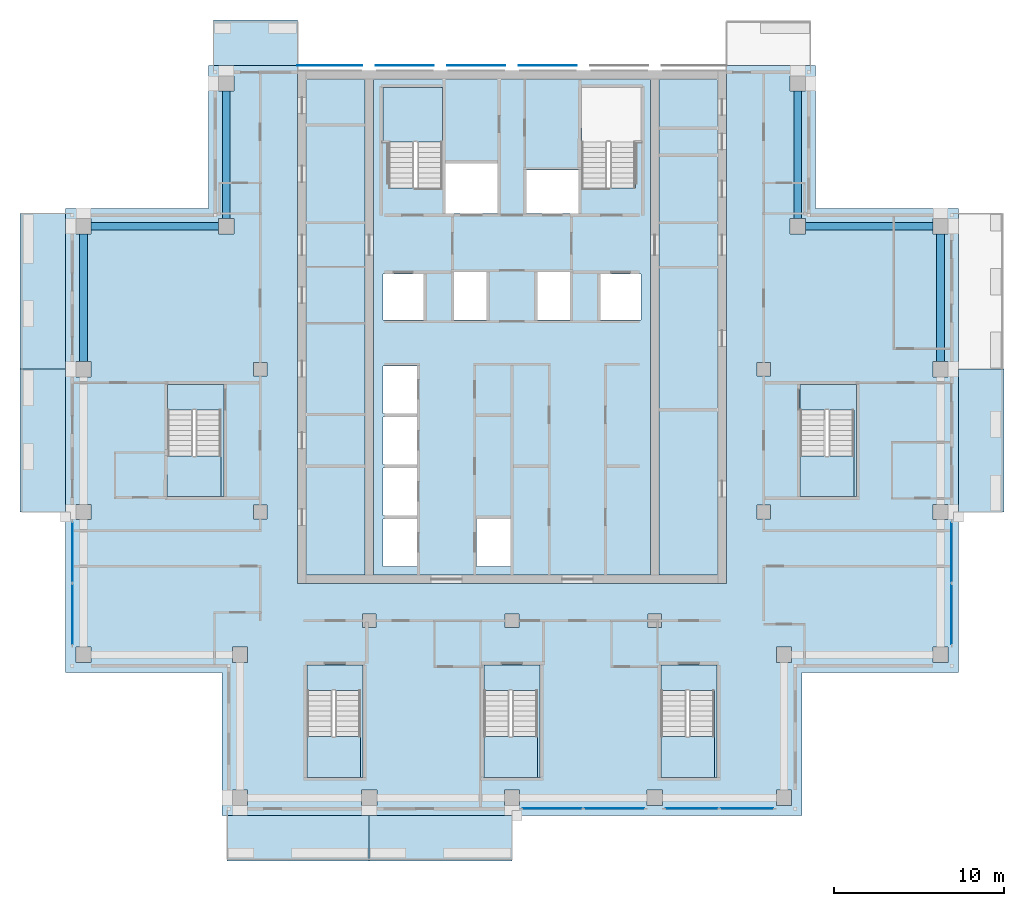
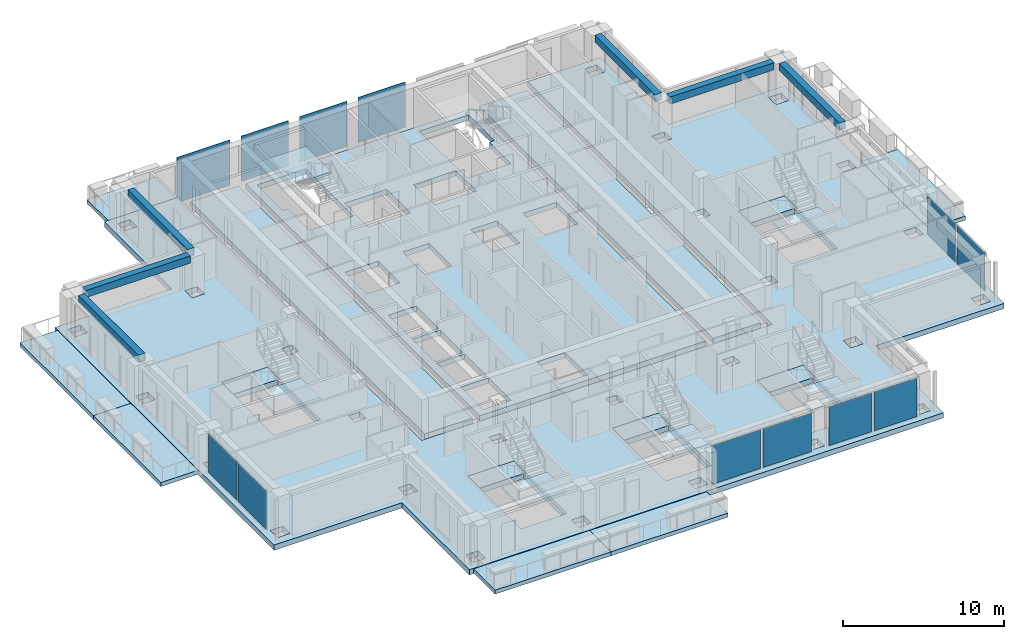
# One storey, part 5 of 16: 21 slabs, 12 plates, 6 beams, 10 elements without a shape of their own.
"""IFC4 building model written with IfcOpenShell, lengths in metres."""

from ifc_helpers import new_model, si_unit, direction, frame, origin, origin_2d, place, context, subcontext, project, spatial, polyline, rectangle, outline, extrude, material, layer, layer_set, material_profile, profile_set, type_object, element, aggregate, save


model = new_model("IFC4")

# Units and contexts
model_context = context("Model", 3, precision=1e-05, world=origin(), true_north=direction((0.0, 1.0)))
body_context = subcontext(model_context, "Body", "Model", "MODEL_VIEW")
ifc_project = project(units=[si_unit("LENGTHUNIT", "METRE"), si_unit("AREAUNIT", "SQUARE_METRE"), si_unit("VOLUMEUNIT", "CUBIC_METRE"), si_unit("PLANEANGLEUNIT", "RADIAN"), si_unit("MASSUNIT", "GRAM", prefix="KILO")], contexts=[model_context])

# Site, building, storey
site_placement = place(None, origin())
site = spatial("IfcSite", under=ifc_project, at=site_placement, CompositionType="ELEMENT")
building_placement = place(site_placement, origin())
building = spatial("IfcBuilding", under=site, at=building_placement, Name="Vermilion Ogive Tower", CompositionType="ELEMENT")
storey_placement = place(building_placement, frame((0.0, 0.0, 251.050048828125)))
storey = spatial("IfcBuildingStorey", under=building, at=storey_placement, Name="L66", CompositionType="ELEMENT", Elevation=251.050048828125)

# Beams
ifc_material_1 = material(Name="Concrete B45", Category="concrete")
ifc_material_profile = material_profile(ifc_material_1, rectangle(XDim=0.449951171875, YDim=0.550048828125, at=origin_2d()), Name="450 x 550")
ifc_profile_set = profile_set([ifc_material_profile], Name="Concrete B45")
beam_type = type_object("IfcBeamType", Name="Edge beam 450 x 550 B45", PredefinedType="BEAM", material=ifc_profile_set)
for number, where, z_axis, x_axis, name in (
    (1, (25.199951171875, 4.64990234375, 2.77490234375), (0.0, 1.0, 0.0), (-1.0, 0.0, 0.0), "L66-EB-9"),
    (2, (24.75, 12.60009765625, 2.77490234375), (-1.0, 0.0, 0.0), (0.0, -1.0, 0.0), "L66-EB-10"),
    (3, (16.800048828125, 13.050048828125, 2.77490234375), (0.0, 1.0, 0.0), (-1.0, 0.0, 0.0), "L66-EB-11"),
    (4, (-16.800048828125, 20.550048828125, 2.77490234375), (0.0, -1.0, 0.0), (1.0, 0.0, 0.0), "L66-EB-12"),
    (5, (-17.25, 12.60009765625, 2.77490234375), (-1.0, 0.0, 0.0), (0.0, -1.0, 0.0), "L66-EB-13"),
    (6, (-25.199951171875, 12.14990234375, 2.77490234375), (0.0, -1.0, 0.0), (1.0, 0.0, 0.0), "L66-EB-14"),
):
    element("IfcBeam", number, at=place(storey_placement, frame(where, z_axis=z_axis, x_axis=x_axis)), inside=storey, type_object=beam_type, Name=name, PredefinedType="BEAM", context=body_context, shape_type="SweptSolid", body=[
        extrude(rectangle(XDim=0.449951171875, YDim=0.550048828125, at=origin_2d()), origin(), (0.0, 0.0, 1.0), 7.5),
    ])

# Slabs
ifc_material_2 = material(Name="Concrete B40", Category="concrete")
ifc_layer_1 = layer(ifc_material_2, 0.300048828125)
ifc_layer_set_1 = layer_set([ifc_layer_1], Name="Balcony slab")
slab_type_1 = type_object("IfcSlabType", Name="Balcony slab", PredefinedType="FLOOR", material=ifc_layer_set_1)
slab_1_placement = place(storey_placement, frame((0.0, 0.0, -0.340087890625)))
element("IfcSlab", 7, at=slab_1_placement, inside=storey, type_object=slab_type_1, Name="Balcony slab S01", PredefinedType="FLOOR", context=body_context, shape_type="SweptSolid", body=[
    extrude(outline(polyline([(-16.75, -24.733642578125), (-8.39990234375, -24.733642578125), (-8.39990234375, -22.050048828125), (-16.75, -22.050048828125), (-16.75, -24.733642578125)])), origin(), (0.0, 0.0, 1.0), 0.300048828125),
])
slab_2_placement = place(storey_placement, frame((0.0, 0.0, -0.340087890625)))
element("IfcSlab", 8, at=slab_2_placement, inside=storey, type_object=slab_type_1, Name="Balcony slab S02", PredefinedType="FLOOR", context=body_context, shape_type="SweptSolid", body=[
    extrude(outline(polyline([(-8.39990234375, -24.733642578125), (0.0, -24.733642578125), (0.0, -22.050048828125), (-8.39990234375, -22.050048828125), (-8.39990234375, -24.733642578125)])), origin(), (0.0, 0.0, 1.0), 0.300048828125),
])
slab_3_placement = place(storey_placement, frame((0.0, 0.0, -0.340087890625)))
element("IfcSlab", 9, at=slab_3_placement, inside=storey, type_object=slab_type_1, Name="Balcony slab E02", PredefinedType="FLOOR", context=body_context, shape_type="SweptSolid", body=[
    extrude(outline(polyline([(28.93359375, -4.199951171875), (28.93359375, 4.199951171875), (26.25, 4.199951171875), (26.25, -4.199951171875), (28.93359375, -4.199951171875)])), origin(), (0.0, 0.0, 1.0), 0.300048828125),
])
slab_4_placement = place(storey_placement, frame((0.0, 0.0, -0.340087890625)))
element("IfcSlab", 10, at=slab_4_placement, inside=storey, type_object=slab_type_1, Name="Balcony slab N201", PredefinedType="FLOOR", context=body_context, shape_type="SweptSolid", body=[
    extrude(outline(polyline([(-12.60009765625, 24.733642578125), (-17.550048828125, 24.733642578125), (-17.550048828125, 22.050048828125), (-12.60009765625, 22.050048828125), (-12.60009765625, 24.733642578125)])), origin(), (0.0, 0.0, 1.0), 0.300048828125),
])
slab_5_placement = place(storey_placement, frame((0.0, 0.0, -0.340087890625)))
element("IfcSlab", 11, at=slab_5_placement, inside=storey, type_object=slab_type_1, Name="Balcony slab W01", PredefinedType="FLOOR", context=body_context, shape_type="SweptSolid", body=[
    extrude(outline(polyline([(-28.93359375, 13.35009765625), (-28.93359375, 4.199951171875), (-26.25, 4.199951171875), (-26.25, 13.35009765625), (-28.93359375, 13.35009765625)])), origin(), (0.0, 0.0, 1.0), 0.300048828125),
])
slab_6_placement = place(storey_placement, frame((0.0, 0.0, -0.340087890625)))
element("IfcSlab", 12, at=slab_6_placement, inside=storey, type_object=slab_type_1, Name="Balcony slab W02", PredefinedType="FLOOR", context=body_context, shape_type="SweptSolid", body=[
    extrude(outline(polyline([(-28.93359375, 4.199951171875), (-28.93359375, -4.199951171875), (-26.25, -4.199951171875), (-26.25, 4.199951171875), (-28.93359375, 4.199951171875)])), origin(), (0.0, 0.0, 1.0), 0.300048828125),
])

# Curtain wall, plates
ifc_material_3 = material(Name="Low-iron laminated glazing in aluminium frame", Category="aluminium")
curtain_wall_type = type_object("IfcCurtainWallType", Name="Curtain wall CW7", PredefinedType="NOTDEFINED", material=ifc_material_3)
curtain_wall_1_placement = place(storey_placement, origin())
curtain_wall_1 = element("IfcCurtainWall", 13, at=curtain_wall_1_placement, inside=storey, type_object=curtain_wall_type, Name="Glazed skin S3", PredefinedType="NOTDEFINED")
ifc_material_4 = material(Name="Low-iron laminated glazing in aluminium frame", Category="aluminium")
ifc_layer_2 = layer(ifc_material_4, 0.031982421875)
ifc_layer_set_2 = layer_set([ifc_layer_2], Name="CW7 glazing panel 32")
plate_type_1 = type_object("IfcPlateType", Name="CW7 glazing panel 32", PredefinedType="CURTAIN_PANEL", material=ifc_layer_set_2)
plate_1_placement = place(storey_placement, frame((2.3701171875, -21.64990234375, 0.06005859375), z_axis=(0.0, 0.0, 1.0), x_axis=(1.0, 0.0, 0.0)))
plate_1 = element("IfcPlate", 14, at=plate_1_placement, type_object=plate_type_1, Name="CW7-S3 panel 1.1", PredefinedType="CURTAIN_PANEL", context=body_context, shape_type="SweptSolid", body=[
    extrude(rectangle(XDim=3.47998046875, YDim=0.031982421875, at=origin_2d()), origin(), (0.0, 0.0, 1.0), 2.929931640625),
])
plate_2_placement = place(storey_placement, frame((6.030029296875, -21.64990234375, 0.06005859375), z_axis=(0.0, 0.0, 1.0), x_axis=(1.0, 0.0, 0.0)))
plate_2 = element("IfcPlate", 15, at=plate_2_placement, type_object=plate_type_1, Name="CW7-S3 panel 2.1", PredefinedType="CURTAIN_PANEL", context=body_context, shape_type="SweptSolid", body=[
    extrude(rectangle(XDim=3.47998046875, YDim=0.031982421875, at=origin_2d()), origin(), (0.0, 0.0, 1.0), 2.929931640625),
])
aggregate(curtain_wall_1, [plate_1, plate_2])

curtain_wall_2_placement = place(storey_placement, origin())
curtain_wall_2 = element("IfcCurtainWall", 16, at=curtain_wall_2_placement, inside=storey, type_object=curtain_wall_type, Name="Glazed skin S4", PredefinedType="NOTDEFINED")
plate_3_placement = place(storey_placement, frame((10.570068359375, -21.64990234375, 0.06005859375), z_axis=(0.0, 0.0, 1.0), x_axis=(1.0, 0.0, 0.0)))
plate_3 = element("IfcPlate", 17, at=plate_3_placement, type_object=plate_type_1, Name="CW7-S4 panel 1.1", PredefinedType="CURTAIN_PANEL", context=body_context, shape_type="SweptSolid", body=[
    extrude(rectangle(XDim=3.080078125, YDim=0.031982421875, at=origin_2d()), origin(), (0.0, 0.0, 1.0), 2.929931640625),
])
plate_4_placement = place(storey_placement, frame((13.830078125, -21.64990234375, 0.06005859375), z_axis=(0.0, 0.0, 1.0), x_axis=(1.0, 0.0, 0.0)))
plate_4 = element("IfcPlate", 18, at=plate_4_placement, type_object=plate_type_1, Name="CW7-S4 panel 2.1", PredefinedType="CURTAIN_PANEL", context=body_context, shape_type="SweptSolid", body=[
    extrude(rectangle(XDim=3.080078125, YDim=0.031982421875, at=origin_2d()), origin(), (0.0, 0.0, 1.0), 2.929931640625),
])
aggregate(curtain_wall_2, [plate_3, plate_4])

curtain_wall_3_placement = place(storey_placement, origin())
curtain_wall_3 = element("IfcCurtainWall", 19, at=curtain_wall_3_placement, inside=storey, type_object=curtain_wall_type, Name="Glazed skin E1", PredefinedType="NOTDEFINED")
plate_5_placement = place(storey_placement, frame((25.85009765625, -10.22998046875, 0.06005859375), z_axis=(0.0, 0.0, 1.0), x_axis=(0.0, 1.0, 0.0)))
plate_5 = element("IfcPlate", 20, at=plate_5_placement, type_object=plate_type_1, Name="CW7-E1 panel 1.1", PredefinedType="CURTAIN_PANEL", context=body_context, shape_type="SweptSolid", body=[
    extrude(rectangle(XDim=3.47998046875, YDim=0.031982421875, at=origin_2d()), origin(), (0.0, 0.0, 1.0), 2.929931640625),
])
plate_6_placement = place(storey_placement, frame((25.85009765625, -6.570068359375, 0.06005859375), z_axis=(0.0, 0.0, 1.0), x_axis=(0.0, 1.0, 0.0)))
plate_6 = element("IfcPlate", 21, at=plate_6_placement, type_object=plate_type_1, Name="CW7-E1 panel 2.1", PredefinedType="CURTAIN_PANEL", context=body_context, shape_type="SweptSolid", body=[
    extrude(rectangle(XDim=3.47998046875, YDim=0.031982421875, at=origin_2d()), origin(), (0.0, 0.0, 1.0), 2.929931640625),
])
aggregate(curtain_wall_3, [plate_5, plate_6])

curtain_wall_4_placement = place(storey_placement, origin())
curtain_wall_4 = element("IfcCurtainWall", 22, at=curtain_wall_4_placement, inside=storey, type_object=curtain_wall_type, Name="Glazed skin W3", PredefinedType="NOTDEFINED")
plate_7_placement = place(storey_placement, frame((-25.85009765625, -6.570068359375, 0.06005859375), z_axis=(0.0, 0.0, 1.0), x_axis=(0.0, -1.0, 0.0)))
plate_7 = element("IfcPlate", 23, at=plate_7_placement, type_object=plate_type_1, Name="CW7-W3 panel 1.1", PredefinedType="CURTAIN_PANEL", context=body_context, shape_type="SweptSolid", body=[
    extrude(rectangle(XDim=3.47998046875, YDim=0.031982421875, at=origin_2d()), origin(), (0.0, 0.0, 1.0), 2.929931640625),
])
plate_8_placement = place(storey_placement, frame((-25.85009765625, -10.22998046875, 0.06005859375), z_axis=(0.0, 0.0, 1.0), x_axis=(0.0, -1.0, 0.0)))
plate_8 = element("IfcPlate", 24, at=plate_8_placement, type_object=plate_type_1, Name="CW7-W3 panel 2.1", PredefinedType="CURTAIN_PANEL", context=body_context, shape_type="SweptSolid", body=[
    extrude(rectangle(XDim=3.47998046875, YDim=0.031982421875, at=origin_2d()), origin(), (0.0, 0.0, 1.0), 2.929931640625),
])
aggregate(curtain_wall_4, [plate_7, plate_8])

# Slabs
ifc_material_5 = material(Name="Concrete B40", Category="concrete")
ifc_layer_3 = layer(ifc_material_5, 0.39990234375)
ifc_layer_set_3 = layer_set([ifc_layer_3], Name="Core floor slab 400 B40")
slab_type_2 = type_object("IfcSlabType", Name="Core floor slab 400 B40", PredefinedType="FLOOR", material=ifc_layer_set_3)
slab_7_placement = place(storey_placement, frame((0.0, 0.0, -0.400146484375)))
element("IfcSlab", 25, at=slab_7_placement, inside=storey, type_object=slab_type_2, Name="L66-CK-FS1", PredefinedType="FLOOR", context=body_context, shape_type="SweptSolid", body=[
    extrude(outline(polyline([(-8.654052734375, 21.24609375), (-8.654052734375, -7.89599609375), (-12.095947265625, -7.89599609375), (-12.095947265625, 21.24609375), (-8.654052734375, 21.24609375)])), origin(), (0.0, 0.0, 1.0), 0.400146484375),
])
slab_8_placement = place(storey_placement, frame((0.0, 0.0, -0.400146484375)))
element("IfcSlab", 26, at=slab_8_placement, inside=storey, type_object=slab_type_2, Name="L66-CK-FS2", PredefinedType="FLOOR", context=body_context, shape_type="SweptSolid", body=[
    extrude(outline(polyline([(-8.14599609375, -7.89599609375), (8.14599609375, -7.89599609375), (8.14599609375, 21.24609375), (-8.14599609375, 21.24609375), (-8.14599609375, -7.89599609375)]), holes=[polyline([(-7.60009765625, -7.39990234375), (-7.60009765625, -4.60009765625), (-5.60009765625, -4.60009765625), (-5.60009765625, -7.39990234375), (-7.60009765625, -7.39990234375)]), polyline([(-7.60009765625, -4.39990234375), (-7.60009765625, -1.60009765625), (-5.60009765625, -1.60009765625), (-5.60009765625, -4.39990234375), (-7.60009765625, -4.39990234375)]), polyline([(-7.60009765625, -1.39990234375), (-7.60009765625, 1.39990234375), (-5.60009765625, 1.39990234375), (-5.60009765625, -1.39990234375), (-7.60009765625, -1.39990234375)]), polyline([(-7.60009765625, 1.60009765625), (-7.60009765625, 4.39990234375), (-5.60009765625, 4.39990234375), (-5.60009765625, 1.60009765625), (-7.60009765625, 1.60009765625)]), polyline([(-7.60009765625, 7.10009765625), (-7.60009765625, 9.800048828125), (-5.199951171875, 9.800048828125), (-5.199951171875, 7.10009765625), (-7.60009765625, 7.10009765625)]), polyline([(-3.39990234375, 9.89990234375), (-1.5, 9.89990234375), (-1.5, 7.10009765625), (-3.39990234375, 7.10009765625), (-3.39990234375, 9.89990234375)]), polyline([(-7.60009765625, 17.550048828125), (-7.60009765625, 20.75), (-4.10009765625, 20.75), (-4.10009765625, 14.85205078125), (-5.60009765625, 14.85205078125), (-5.60009765625, 14.85009765625), (-5.75, 14.85009765625), (-5.75, 14.85205078125), (-7.25, 14.85205078125), (-7.25, 17.550048828125), (-7.60009765625, 17.550048828125)]), polyline([(-2.10009765625, -7.39990234375), (-2.10009765625, -4.60009765625), (-0.10009765625, -4.60009765625), (-0.10009765625, -7.39990234375), (-2.10009765625, -7.39990234375)]), polyline([(5.199951171875, 7.10009765625), (5.199951171875, 9.800048828125), (7.60009765625, 9.800048828125), (7.60009765625, 7.10009765625), (5.199951171875, 7.10009765625)]), polyline([(1.5, 7.10009765625), (1.5, 9.89990234375), (3.39990234375, 9.89990234375), (3.39990234375, 7.10009765625), (1.5, 7.10009765625)]), polyline([(0.85009765625, 13.35009765625), (0.85009765625, 15.89990234375), (3.89990234375, 15.89990234375), (3.89990234375, 13.35009765625), (0.85009765625, 13.35009765625)]), polyline([(-3.89990234375, 16.300048828125), (-0.85009765625, 16.300048828125), (-0.85009765625, 13.35009765625), (-3.89990234375, 13.35009765625), (-3.89990234375, 16.300048828125)]), polyline([(5.75, 14.85009765625), (5.60009765625, 14.85009765625), (5.60009765625, 14.85205078125), (4.10009765625, 14.85205078125), (4.10009765625, 17.550048828125), (4.074951171875, 17.550048828125), (4.074951171875, 20.75), (7.60009765625, 20.75), (7.60009765625, 17.550048828125), (7.25, 17.550048828125), (7.25, 14.85205078125), (5.75, 14.85205078125), (5.75, 14.85009765625)])]), origin(), (0.0, 0.0, 1.0), 0.400146484375),
])
slab_9_placement = place(storey_placement, frame((0.0, 0.0, -0.400146484375)))
element("IfcSlab", 27, at=slab_9_placement, inside=storey, type_object=slab_type_2, Name="L66-CK-FS3", PredefinedType="FLOOR", context=body_context, shape_type="SweptSolid", body=[
    extrude(outline(polyline([(8.654052734375, 21.24609375), (12.095947265625, 21.24609375), (12.095947265625, -7.89599609375), (8.654052734375, -7.89599609375), (8.654052734375, 21.24609375)])), origin(), (0.0, 0.0, 1.0), 0.400146484375),
])
slab_10_placement = place(storey_placement, frame((0.0, 0.0, -0.400146484375)))
element("IfcSlab", 28, at=slab_10_placement, inside=storey, type_object=slab_type_2, Name="L66-SF-ST3-1", PredefinedType="FLOOR", context=body_context, shape_type="SweptSolid", body=[
    extrude(outline(polyline([(-12.050048828125, -13.199951171875), (-12.050048828125, -14.701904296875), (-10.550048828125, -14.701904296875), (-10.550048828125, -14.699951171875), (-10.39990234375, -14.699951171875), (-10.39990234375, -14.701904296875), (-8.89990234375, -14.701904296875), (-8.89990234375, -19.800048828125), (-8.75, -19.800048828125), (-8.75, -13.199951171875), (-12.050048828125, -13.199951171875)])), origin(), (0.0, 0.0, 1.0), 0.400146484375),
])
slab_11_placement = place(storey_placement, frame((0.0, 0.0, -0.400146484375)))
element("IfcSlab", 29, at=slab_11_placement, inside=storey, type_object=slab_type_2, Name="L66-SF-ST4-1", PredefinedType="FLOOR", context=body_context, shape_type="SweptSolid", body=[
    extrude(outline(polyline([(-1.64990234375, -13.199951171875), (-1.64990234375, -14.701904296875), (-0.14990234375, -14.701904296875), (-0.14990234375, -14.699951171875), (0.0, -14.699951171875), (0.0, -14.701904296875), (1.5, -14.701904296875), (1.5, -19.800048828125), (1.64990234375, -19.800048828125), (1.64990234375, -13.199951171875), (-1.64990234375, -13.199951171875)])), origin(), (0.0, 0.0, 1.0), 0.400146484375),
])
slab_12_placement = place(storey_placement, frame((0.0, 0.0, -0.400146484375)))
element("IfcSlab", 30, at=slab_12_placement, inside=storey, type_object=slab_type_2, Name="L66-SF-ST5-1", PredefinedType="FLOOR", context=body_context, shape_type="SweptSolid", body=[
    extrude(outline(polyline([(8.75, -13.199951171875), (8.75, -14.701904296875), (10.25, -14.701904296875), (10.25, -14.699951171875), (10.39990234375, -14.699951171875), (10.39990234375, -14.701904296875), (11.89990234375, -14.701904296875), (11.89990234375, -19.800048828125), (12.050048828125, -19.800048828125), (12.050048828125, -13.199951171875), (8.75, -13.199951171875)])), origin(), (0.0, 0.0, 1.0), 0.400146484375),
])
slab_13_placement = place(storey_placement, frame((0.0, 0.0, -0.400146484375)))
element("IfcSlab", 31, at=slab_13_placement, inside=storey, type_object=slab_type_2, Name="L66-SF-ST8-1", PredefinedType="FLOOR", context=body_context, shape_type="SweptSolid", body=[
    extrude(outline(polyline([(16.949951171875, 3.300048828125), (16.949951171875, 1.798095703125), (18.449951171875, 1.798095703125), (18.449951171875, 1.800048828125), (18.60009765625, 1.800048828125), (18.60009765625, 1.798095703125), (20.10009765625, 1.798095703125), (20.10009765625, -3.300048828125), (20.25, -3.300048828125), (20.25, 3.300048828125), (16.949951171875, 3.300048828125)])), origin(), (0.0, 0.0, 1.0), 0.400146484375),
])
slab_14_placement = place(storey_placement, frame((0.0, 0.0, -0.400146484375)))
element("IfcSlab", 32, at=slab_14_placement, inside=storey, type_object=slab_type_2, Name="L66-SF-ST9-1", PredefinedType="FLOOR", context=body_context, shape_type="SweptSolid", body=[
    extrude(outline(polyline([(-20.25, 3.300048828125), (-20.25, 1.798095703125), (-18.75, 1.798095703125), (-18.75, 1.800048828125), (-18.60009765625, 1.800048828125), (-18.60009765625, 1.798095703125), (-17.10009765625, 1.798095703125), (-17.10009765625, -3.300048828125), (-16.949951171875, -3.300048828125), (-16.949951171875, 3.300048828125), (-20.25, 3.300048828125)])), origin(), (0.0, 0.0, 1.0), 0.400146484375),
])

# Plates
ifc_material_6 = material(Name="Low-iron laminated glazing in aluminium frame", Category="aluminium")
ifc_layer_4 = layer(ifc_material_6, 0.031982421875)
ifc_layer_set_4 = layer_set([ifc_layer_4], Name="Glazed rainscreen sheet 32")
plate_type_2 = type_object("IfcPlateType", Name="Glazed rainscreen sheet 32", PredefinedType="SHEET", material=ifc_layer_set_4)
plate_9_placement = place(storey_placement, frame((-10.7099609375, 22.06591796875, -0.39990234375), z_axis=(0.0, 0.0, 1.0), x_axis=(1.0, 0.0, 0.0)))
element("IfcPlate", 33, at=plate_9_placement, inside=storey, type_object=plate_type_2, Name="Glazed rainscreen sheet N1", PredefinedType="SHEET", context=body_context, shape_type="SweptSolid", body=[
    extrude(rectangle(XDim=3.820068359375, YDim=0.031982421875, at=origin_2d()), origin(), (0.0, 0.0, 1.0), 3.449951171875),
])
for number, where, z_axis, x_axis, name in (
    (34, (-6.300048828125, 22.06591796875, -0.39990234375), (0.0, 0.0, 1.0), (1.0, 0.0, 0.0), "Glazed rainscreen sheet N2"),
    (35, (-2.10009765625, 22.06591796875, -0.39990234375), (0.0, 0.0, 1.0), (1.0, 0.0, 0.0), "Glazed rainscreen sheet N3"),
    (36, (2.10009765625, 22.06591796875, -0.39990234375), (0.0, 0.0, 1.0), (1.0, 0.0, 0.0), "Glazed rainscreen sheet N4"),
):
    element("IfcPlate", number, at=place(storey_placement, frame(where, z_axis=z_axis, x_axis=x_axis)), inside=storey, type_object=plate_type_2, Name=name, PredefinedType="SHEET", context=body_context, shape_type="SweptSolid", body=[
        extrude(rectangle(XDim=3.39990234375, YDim=0.031982421875, at=origin_2d()), origin(), (0.0, 0.0, 1.0), 3.449951171875),
    ])

# Slab
ifc_material_7 = material(Name="Concrete B45", Category="concrete")
ifc_layer_5 = layer(ifc_material_7, 0.39990234375)
ifc_layer_set_5 = layer_set([ifc_layer_5], Name="Post-tensioned flat plate 400 B45")
slab_type_3 = type_object("IfcSlabType", Name="Post-tensioned flat plate 400 B45", PredefinedType="FLOOR", material=ifc_layer_set_5)
slab_15_placement = place(storey_placement, frame((0.0, 0.0, -0.400146484375)))
element("IfcSlab", 37, at=slab_15_placement, inside=storey, type_object=slab_type_3, Name="L66-SL-1", PredefinedType="FLOOR", context=body_context, shape_type="SweptSolid", body=[
    extrude(outline(polyline([(-26.25, -13.64990234375), (-17.050048828125, -13.64990234375), (-17.050048828125, -22.050048828125), (17.050048828125, -22.050048828125), (17.050048828125, -13.64990234375), (26.25, -13.64990234375), (26.25, 13.64990234375), (17.85009765625, 13.64990234375), (17.85009765625, 22.050048828125), (12.60009765625, 22.050048828125), (12.60009765625, -8.39990234375), (-12.60009765625, -8.39990234375), (-12.60009765625, 22.050048828125), (-17.85009765625, 22.050048828125), (-17.85009765625, 13.64990234375), (-26.25, 13.64990234375), (-26.25, -13.64990234375)]), holes=[polyline([(25.64990234375, -3.75), (25.64990234375, -4.64990234375), (24.75, -4.64990234375), (24.75, -3.75), (25.64990234375, -3.75)]), polyline([(25.64990234375, -12.14990234375), (25.64990234375, -13.050048828125), (24.75, -13.050048828125), (24.75, -12.14990234375), (25.64990234375, -12.14990234375)]), polyline([(25.64990234375, 12.14990234375), (24.75, 12.14990234375), (24.75, 13.050048828125), (25.64990234375, 13.050048828125), (25.64990234375, 12.14990234375)]), polyline([(25.64990234375, 3.75), (24.75, 3.75), (24.75, 4.64990234375), (25.64990234375, 4.64990234375), (25.64990234375, 3.75)]), polyline([(20.25, 3.300048828125), (20.25, -3.300048828125), (16.949951171875, -3.300048828125), (16.949951171875, 3.300048828125), (20.25, 3.300048828125)]), polyline([(17.25, 13.050048828125), (17.25, 12.14990234375), (16.35009765625, 12.14990234375), (16.35009765625, 13.050048828125), (17.25, 13.050048828125)]), polyline([(17.25, 20.550048828125), (16.35009765625, 20.550048828125), (16.35009765625, 21.449951171875), (17.25, 21.449951171875), (17.25, 20.550048828125)]), polyline([(16.449951171875, -12.14990234375), (16.449951171875, -13.050048828125), (15.550048828125, -13.050048828125), (15.550048828125, -12.14990234375), (16.449951171875, -12.14990234375)]), polyline([(16.449951171875, -20.550048828125), (16.449951171875, -21.449951171875), (15.550048828125, -21.449951171875), (15.550048828125, -20.550048828125), (16.449951171875, -20.550048828125)]), polyline([(15.199951171875, 4.60009765625), (15.199951171875, 3.800048828125), (14.39990234375, 3.800048828125), (14.39990234375, 4.60009765625), (15.199951171875, 4.60009765625)]), polyline([(15.199951171875, -4.60009765625), (14.39990234375, -4.60009765625), (14.39990234375, -3.800048828125), (15.199951171875, -3.800048828125), (15.199951171875, -4.60009765625)]), polyline([(12.050048828125, -13.199951171875), (12.050048828125, -19.800048828125), (8.75, -19.800048828125), (8.75, -13.199951171875), (12.050048828125, -13.199951171875)]), polyline([(8.85009765625, -20.550048828125), (8.85009765625, -21.449951171875), (7.949951171875, -21.449951171875), (7.949951171875, -20.550048828125), (8.85009765625, -20.550048828125)]), polyline([(8.800048828125, -11.0), (8.0, -11.0), (8.0, -10.199951171875), (8.800048828125, -10.199951171875), (8.800048828125, -11.0)]), polyline([(1.64990234375, -13.199951171875), (1.64990234375, -19.800048828125), (-1.64990234375, -19.800048828125), (-1.64990234375, -13.199951171875), (1.64990234375, -13.199951171875)]), polyline([(0.449951171875, -20.550048828125), (0.449951171875, -21.449951171875), (-0.449951171875, -21.449951171875), (-0.449951171875, -20.550048828125), (0.449951171875, -20.550048828125)]), polyline([(0.39990234375, -10.199951171875), (0.39990234375, -11.0), (-0.39990234375, -11.0), (-0.39990234375, -10.199951171875), (0.39990234375, -10.199951171875)]), polyline([(-7.949951171875, -20.550048828125), (-7.949951171875, -21.449951171875), (-8.85009765625, -21.449951171875), (-8.85009765625, -20.550048828125), (-7.949951171875, -20.550048828125)]), polyline([(-8.0, -10.199951171875), (-8.0, -11.0), (-8.800048828125, -11.0), (-8.800048828125, -10.199951171875), (-8.0, -10.199951171875)]), polyline([(-8.75, -13.199951171875), (-8.75, -19.800048828125), (-12.050048828125, -19.800048828125), (-12.050048828125, -13.199951171875), (-8.75, -13.199951171875)]), polyline([(-14.39990234375, 4.60009765625), (-14.39990234375, 3.800048828125), (-15.199951171875, 3.800048828125), (-15.199951171875, 4.60009765625), (-14.39990234375, 4.60009765625)]), polyline([(-14.39990234375, -4.60009765625), (-15.199951171875, -4.60009765625), (-15.199951171875, -3.800048828125), (-14.39990234375, -3.800048828125), (-14.39990234375, -4.60009765625)]), polyline([(-15.550048828125, -12.14990234375), (-15.550048828125, -13.050048828125), (-16.449951171875, -13.050048828125), (-16.449951171875, -12.14990234375), (-15.550048828125, -12.14990234375)]), polyline([(-15.550048828125, -20.550048828125), (-15.550048828125, -21.449951171875), (-16.449951171875, -21.449951171875), (-16.449951171875, -20.550048828125), (-15.550048828125, -20.550048828125)]), polyline([(-16.35009765625, 13.050048828125), (-16.35009765625, 12.14990234375), (-17.25, 12.14990234375), (-17.25, 13.050048828125), (-16.35009765625, 13.050048828125)]), polyline([(-16.35009765625, 20.550048828125), (-17.25, 20.550048828125), (-17.25, 21.449951171875), (-16.35009765625, 21.449951171875), (-16.35009765625, 20.550048828125)]), polyline([(-16.949951171875, 3.300048828125), (-16.949951171875, -3.300048828125), (-20.25, -3.300048828125), (-20.25, -3.2998046875), (-20.275146484375, -3.2998046875), (-20.275146484375, -0.89990234375), (-20.25, -0.89990234375), (-20.25, 3.300048828125), (-16.949951171875, 3.300048828125)]), polyline([(-24.75, 3.75), (-25.64990234375, 3.75), (-25.64990234375, 4.64990234375), (-24.75, 4.64990234375), (-24.75, 3.75)]), polyline([(-24.75, 13.050048828125), (-24.75, 12.14990234375), (-25.64990234375, 12.14990234375), (-25.64990234375, 13.050048828125), (-24.75, 13.050048828125)]), polyline([(-24.75, -3.75), (-24.75, -4.64990234375), (-25.64990234375, -4.64990234375), (-25.64990234375, -3.75), (-24.75, -3.75)]), polyline([(-24.75, -12.14990234375), (-24.75, -13.050048828125), (-25.64990234375, -13.050048828125), (-25.64990234375, -12.14990234375), (-24.75, -12.14990234375)])]), origin(), (0.0, 0.0, 1.0), 0.400146484375),
])

# Stair, slab
ifc_material_8 = material(Name="Concrete B40", Category="concrete")
stair_type = type_object("IfcStairType", Name="Exit stair 1500", PredefinedType="HALF_TURN_STAIR", material=ifc_material_8)
stair_1_placement = place(storey_placement, origin())
stair_1 = element("IfcStair", 38, at=stair_1_placement, inside=storey, type_object=stair_type, Name="L66 Exit Stair ST1", PredefinedType="HALF_TURN_STAIR")
ifc_material_9 = material(Name="Concrete B40", Category="concrete")
ifc_layer_6 = layer(ifc_material_9, 0.199951171875)
ifc_layer_set_6 = layer_set([ifc_layer_6], Name="Stair landing 200")
slab_type_4 = type_object("IfcSlabType", Name="Stair landing 200", PredefinedType="LANDING", material=ifc_layer_set_6)
slab_16_placement = place(storey_placement, frame((0.0, 0.0, 1.52490234375)))
slab_16 = element("IfcSlab", 39, at=slab_16_placement, type_object=slab_type_4, Name="ST1 landing 1", PredefinedType="LANDING", context=body_context, shape_type="SweptSolid", body=[
    extrude(outline(polyline([(-7.60009765625, 17.550048828125), (-7.25, 17.550048828125), (-7.25, 17.548095703125), (-5.75, 17.548095703125), (-5.75, 17.550048828125), (-5.60009765625, 17.550048828125), (-5.60009765625, 17.548095703125), (-4.10009765625, 17.548095703125), (-4.10009765625, 20.75), (-7.60009765625, 20.75), (-7.60009765625, 17.550048828125)])), origin(), (0.0, 0.0, 1.0), 0.199951171875),
])
aggregate(stair_1, [slab_16])

stair_2_placement = place(storey_placement, origin())
stair_2 = element("IfcStair", 40, at=stair_2_placement, inside=storey, type_object=stair_type, Name="L66 Exit Stair ST3", PredefinedType="HALF_TURN_STAIR")
slab_17_placement = place(storey_placement, frame((0.0, 0.0, 1.52490234375)))
slab_17 = element("IfcSlab", 41, at=slab_17_placement, type_object=slab_type_4, Name="ST3 landing 1", PredefinedType="LANDING", context=body_context, shape_type="SweptSolid", body=[
    extrude(outline(polyline([(-8.75, -17.39990234375), (-8.89990234375, -17.39990234375), (-8.89990234375, -17.39794921875), (-10.39990234375, -17.39794921875), (-10.39990234375, -17.39990234375), (-10.550048828125, -17.39990234375), (-10.550048828125, -17.39794921875), (-12.050048828125, -17.39794921875), (-12.050048828125, -19.800048828125), (-8.75, -19.800048828125), (-8.75, -17.39990234375)])), origin(), (0.0, 0.0, 1.0), 0.199951171875),
])
aggregate(stair_2, [slab_17])

stair_3_placement = place(storey_placement, origin())
stair_3 = element("IfcStair", 42, at=stair_3_placement, inside=storey, type_object=stair_type, Name="L66 Exit Stair ST4", PredefinedType="HALF_TURN_STAIR")
slab_18_placement = place(storey_placement, frame((0.0, 0.0, 1.52490234375)))
slab_18 = element("IfcSlab", 43, at=slab_18_placement, type_object=slab_type_4, Name="ST4 landing 1", PredefinedType="LANDING", context=body_context, shape_type="SweptSolid", body=[
    extrude(outline(polyline([(1.64990234375, -17.39990234375), (1.5, -17.39990234375), (1.5, -17.39794921875), (0.0, -17.39794921875), (0.0, -17.39990234375), (-0.14990234375, -17.39990234375), (-0.14990234375, -17.39794921875), (-1.64990234375, -17.39794921875), (-1.64990234375, -19.7998046875), (1.64990234375, -19.7998046875), (1.64990234375, -17.39990234375)])), origin(), (0.0, 0.0, 1.0), 0.199951171875),
])
aggregate(stair_3, [slab_18])

stair_4_placement = place(storey_placement, origin())
stair_4 = element("IfcStair", 44, at=stair_4_placement, inside=storey, type_object=stair_type, Name="L66 Exit Stair ST5", PredefinedType="HALF_TURN_STAIR")
slab_19_placement = place(storey_placement, frame((0.0, 0.0, 1.52490234375)))
slab_19 = element("IfcSlab", 45, at=slab_19_placement, type_object=slab_type_4, Name="ST5 landing 1", PredefinedType="LANDING", context=body_context, shape_type="SweptSolid", body=[
    extrude(outline(polyline([(12.050048828125, -17.39990234375), (11.89990234375, -17.39990234375), (11.89990234375, -17.39794921875), (10.39990234375, -17.39794921875), (10.39990234375, -17.39990234375), (10.25, -17.39990234375), (10.25, -17.39794921875), (8.75, -17.39794921875), (8.75, -19.800048828125), (12.050048828125, -19.800048828125), (12.050048828125, -17.39990234375)])), origin(), (0.0, 0.0, 1.0), 0.199951171875),
])
aggregate(stair_4, [slab_19])

stair_5_placement = place(storey_placement, origin())
stair_5 = element("IfcStair", 46, at=stair_5_placement, inside=storey, type_object=stair_type, Name="L66 Exit Stair ST8", PredefinedType="HALF_TURN_STAIR")
slab_20_placement = place(storey_placement, frame((0.0, 0.0, 1.52490234375)))
slab_20 = element("IfcSlab", 47, at=slab_20_placement, type_object=slab_type_4, Name="ST8 landing 1", PredefinedType="LANDING", context=body_context, shape_type="SweptSolid", body=[
    extrude(outline(polyline([(20.25, -0.89990234375), (20.10009765625, -0.89990234375), (20.10009765625, -0.89794921875), (18.60009765625, -0.89794921875), (18.60009765625, -0.89990234375), (18.449951171875, -0.89990234375), (18.449951171875, -0.89794921875), (16.949951171875, -0.89794921875), (16.949951171875, -0.902099609375), (16.9501953125, -0.902099609375), (16.9501953125, -3.2998046875), (20.25, -3.2998046875), (20.25, -0.89990234375)])), origin(), (0.0, 0.0, 1.0), 0.199951171875),
])
aggregate(stair_5, [slab_20])

stair_6_placement = place(storey_placement, origin())
stair_6 = element("IfcStair", 48, at=stair_6_placement, inside=storey, type_object=stair_type, Name="L66 Exit Stair ST9", PredefinedType="HALF_TURN_STAIR")
slab_21_placement = place(storey_placement, frame((0.0, 0.0, 1.52490234375)))
slab_21 = element("IfcSlab", 49, at=slab_21_placement, type_object=slab_type_4, Name="ST9 landing 1", PredefinedType="LANDING", context=body_context, shape_type="SweptSolid", body=[
    extrude(outline(polyline([(-16.9501953125, -0.89990234375), (-17.10009765625, -0.89990234375), (-17.10009765625, -0.89794921875), (-18.60009765625, -0.89794921875), (-18.60009765625, -0.89990234375), (-18.75, -0.89990234375), (-18.75, -0.89794921875), (-20.25, -0.89794921875), (-20.25, -0.89990234375), (-20.275146484375, -0.89990234375), (-20.275146484375, -3.2998046875), (-16.9501953125, -3.2998046875), (-16.9501953125, -0.89990234375)])), origin(), (0.0, 0.0, 1.0), 0.199951171875),
])
aggregate(stair_6, [slab_21])

save(model, "model.ifc")
